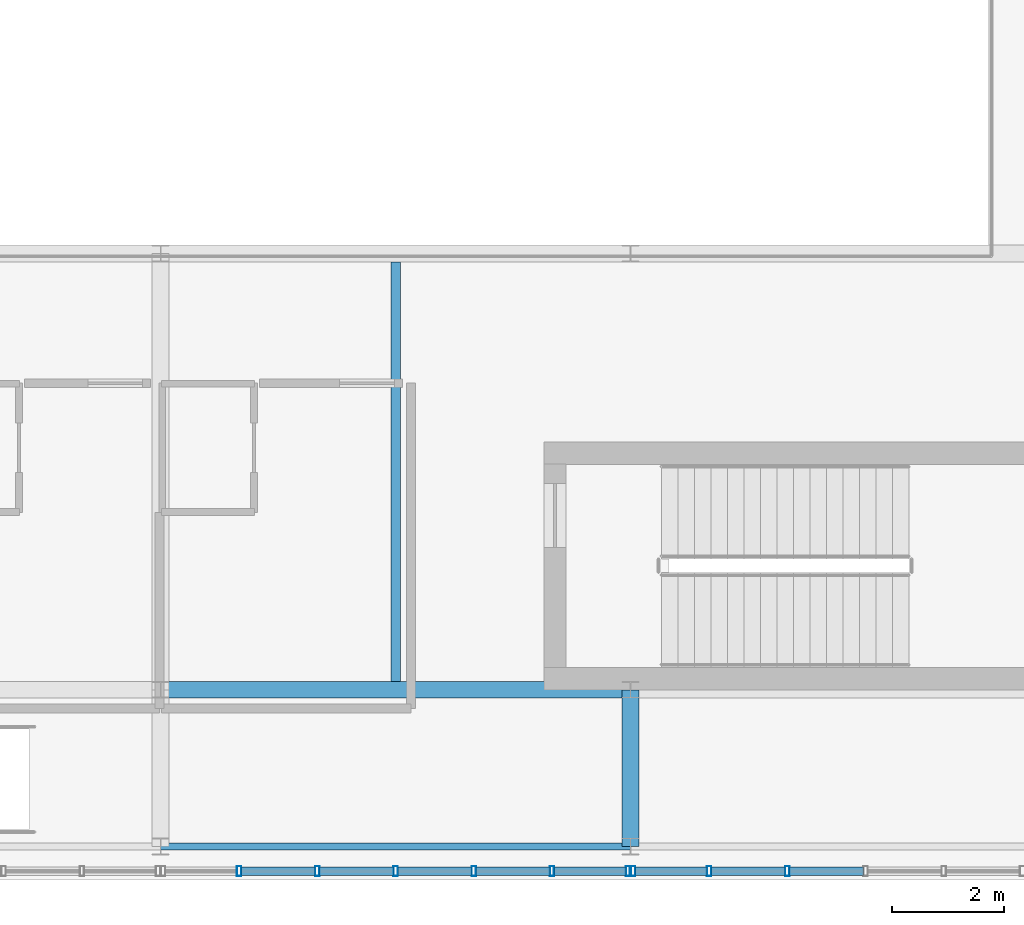
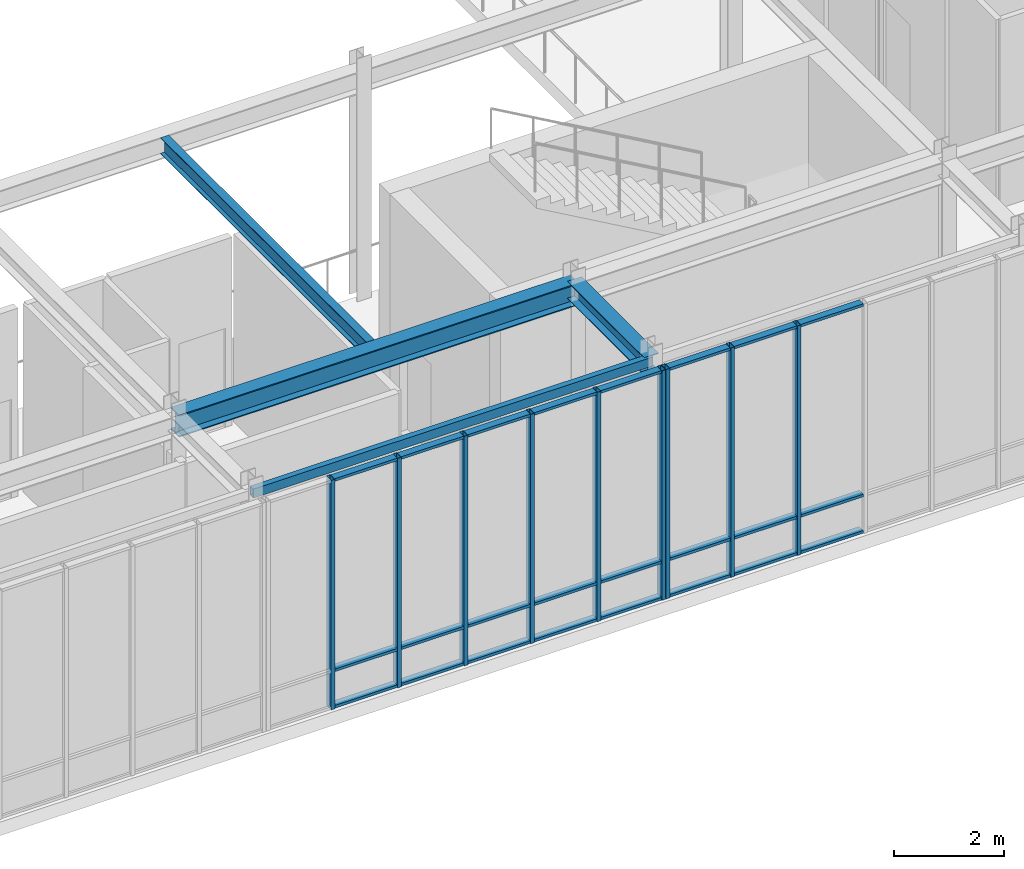
# One storey, part 78 of 139: 33 members, 4 beams, 2 elements without a shape of their own.
"""IFC4 building model written with IfcOpenShell, lengths in metres."""

from ifc_helpers import new_model, si_unit, direction, frame, origin, origin_2d, place, context, subcontext, project, spatial, hollow_rectangle, i_section, extrude, material, layer, layer_set, material_profile, profile_set, type_object, element, aggregate, save


model = new_model("IFC4")

# Units and contexts
model_context = context("Model", 3, precision=1e-05, world=origin(), true_north=direction((0.0, 1.0)))
body_context = subcontext(model_context, "Body", "Model", "MODEL_VIEW")
ifc_project = project(units=[si_unit("LENGTHUNIT", "METRE"), si_unit("AREAUNIT", "SQUARE_METRE"), si_unit("VOLUMEUNIT", "CUBIC_METRE"), si_unit("PLANEANGLEUNIT", "RADIAN"), si_unit("MASSUNIT", "GRAM", prefix="KILO")], contexts=[model_context])

# Site, building, storey
site_placement = place(None, origin())
site = spatial("IfcSite", under=ifc_project, at=site_placement, CompositionType="ELEMENT")
building_placement = place(site_placement, origin())
building = spatial("IfcBuilding", under=site, at=building_placement, Name="Zayran Congress Hotel", CompositionType="ELEMENT")
storey_placement = place(building_placement, frame((0.0, 0.0, 5.39990234375)))
storey = spatial("IfcBuildingStorey", under=building, at=storey_placement, Name="L01", CompositionType="ELEMENT", Elevation=5.39990234375)

# Beams
ifc_material_1 = material(Name="Steel S355", Category="steel")
ifc_material_profile_1 = material_profile(ifc_material_1, i_section(OverallWidth=0.300048828125, OverallDepth=0.489990234375, WebThickness=0.011962890625, FlangeThickness=0.02294921875, at=origin_2d()), Name="HEA 500")
ifc_profile_set_1 = profile_set([ifc_material_profile_1], Name="Steel S355")
beam_type_1 = type_object("IfcBeamType", Name="TP-BM-05", PredefinedType="BEAM", material=ifc_profile_set_1)
beam_1_placement = place(storey_placement, frame((168.0, 9.39990234375, 4.85498046875), z_axis=(1.0, 0.0, 0.0), x_axis=(0.0, 1.0, 0.0)))
element("IfcBeam", 1, at=beam_1_placement, inside=storey, type_object=beam_type_1, Name="BM-V3-L01-1118", PredefinedType="BEAM", context=body_context, shape_type="SweptSolid", body=[
    extrude(i_section(OverallWidth=0.300048828125, OverallDepth=0.489990234375, WebThickness=0.011962890625, FlangeThickness=0.02294921875, at=origin_2d()), origin(), (0.0, 0.0, 1.0), 8.39990234375),
])
ifc_material_profile_2 = material_profile(ifc_material_1, i_section(OverallWidth=0.300048828125, OverallDepth=0.389892578125, WebThickness=0.010986328125, FlangeThickness=0.01904296875, at=origin_2d()), Name="HEA 400")
ifc_profile_set_2 = profile_set([ifc_material_profile_2], Name="Steel S355")
beam_type_2 = type_object("IfcBeamType", Name="TP-BM-06", PredefinedType="BEAM", material=ifc_profile_set_2)
beam_2_placement = place(storey_placement, frame((176.39990234375, 6.60009765625, 4.905029296875), z_axis=(0.0, 1.0, 0.0), x_axis=(-1.0, 0.0, 0.0)))
element("IfcBeam", 2, at=beam_2_placement, inside=storey, type_object=beam_type_2, Name="BM-V3-L01-1150", PredefinedType="BEAM", context=body_context, shape_type="SweptSolid", body=[
    extrude(i_section(OverallWidth=0.300048828125, OverallDepth=0.389892578125, WebThickness=0.010986328125, FlangeThickness=0.01904296875, at=origin_2d()), origin(), (0.0, 0.0, 1.0), 2.7998046875),
])
ifc_material_profile_3 = material_profile(ifc_material_1, i_section(OverallWidth=0.169921875, OverallDepth=0.360107421875, WebThickness=0.008056640625, FlangeThickness=0.0126953125, at=origin_2d()), Name="IPE 360")
ifc_profile_set_3 = profile_set([ifc_material_profile_3], Name="Steel S355")
beam_type_3 = type_object("IfcBeamType", Name="TP-JS-04", PredefinedType="JOIST", material=ifc_profile_set_3)
beam_3_placement = place(storey_placement, frame((172.199951171875, 9.550048828125, 4.920166015625), z_axis=(0.0, 1.0, 0.0), x_axis=(-1.0, 0.0, 0.0)))
element("IfcBeam", 3, at=beam_3_placement, inside=storey, type_object=beam_type_3, Name="JST-V3-L01-1167", PredefinedType="JOIST", context=body_context, shape_type="SweptSolid", body=[
    extrude(i_section(OverallWidth=0.169921875, OverallDepth=0.360107421875, WebThickness=0.008056640625, FlangeThickness=0.0126953125, at=origin_2d()), origin(), (0.0, 0.0, 1.0), 7.5),
])
ifc_material_profile_4 = material_profile(ifc_material_1, hollow_rectangle(XDim=0.1201171875, YDim=0.199951171875, WallThickness=0.008056640625, at=origin_2d()), Name="RHS 200x120x8")
ifc_profile_set_4 = profile_set([ifc_material_profile_4], Name="Steel S355")
beam_type_4 = type_object("IfcBeamType", Name="TP-SP-02", PredefinedType="SPANDREL", material=ifc_profile_set_4)
beam_4_placement = place(storey_placement, frame((168.0, 6.60009765625, 5.0), z_axis=(1.0, 0.0, 0.0), x_axis=(0.0, 1.0, 0.0)))
element("IfcBeam", 4, at=beam_4_placement, inside=storey, type_object=beam_type_4, Name="BM-V3-L01-1113", PredefinedType="SPANDREL", context=body_context, shape_type="SweptSolid", body=[
    extrude(hollow_rectangle(XDim=0.1201171875, YDim=0.199951171875, WallThickness=0.008056640625, at=origin_2d()), origin(), (0.0, 0.0, 1.0), 8.39990234375),
])

# Curtain wall, members
ifc_material_2 = material(Name="Anodised aluminium and low-E insulated glass", Category="aluminium")
ifc_layer_1 = layer(ifc_material_2, 0.179931640625)
ifc_layer_set_1 = layer_set([ifc_layer_1], Name="Anodised aluminium and low-E insulated glass")
curtain_wall_type_1 = type_object("IfcCurtainWallType", Name="CW-V3S-L01-CW-V31-8390-5100", PredefinedType="USERDEFINED", material=ifc_layer_set_1)
curtain_wall_1_placement = place(storey_placement, origin())
curtain_wall_1 = element("IfcCurtainWall", 5, at=curtain_wall_1_placement, inside=storey, type_object=curtain_wall_type_1, Name="CW-V3S-L01-2", ObjectType="CURTAIN WALL", PredefinedType="USERDEFINED")
ifc_material_3 = material(Name="Anodised aluminium framing", Category="aluminium")
ifc_material_profile_5 = material_profile(ifc_material_3, hollow_rectangle(XDim=0.080078125, YDim=0.179931640625, WallThickness=0.0048828125, at=origin_2d()), Name="RHS 180x80x5")
ifc_profile_set_5 = profile_set([ifc_material_profile_5], Name="Anodised aluminium framing")
member_type_1 = type_object("IfcMemberType", Name="TP-CWM-01", PredefinedType="MULLION", material=ifc_profile_set_5)
member_1_placement = place(storey_placement, frame((169.4033203125, 6.159912109375, 0.0), z_axis=(0.0, 0.0, 1.0), x_axis=(1.0, 0.0, 0.0)))
member_1 = element("IfcMember", 6, at=member_1_placement, type_object=member_type_1, Name="CW-V3S-L01-2-M01", PredefinedType="MULLION", context=body_context, shape_type="SweptSolid", body=[
    extrude(hollow_rectangle(XDim=0.080078125, YDim=0.179931640625, WallThickness=0.0048828125, at=origin_2d()), origin(), (0.0, 0.0, 1.0), 5.10009765625),
])
member_2_placement = place(storey_placement, frame((170.8017578125, 6.159912109375, 0.0), z_axis=(0.0, 0.0, 1.0), x_axis=(1.0, 0.0, 0.0)))
member_2 = element("IfcMember", 7, at=member_2_placement, type_object=member_type_1, Name="CW-V3S-L01-2-M02", PredefinedType="MULLION", context=body_context, shape_type="SweptSolid", body=[
    extrude(hollow_rectangle(XDim=0.080078125, YDim=0.179931640625, WallThickness=0.0048828125, at=origin_2d()), origin(), (0.0, 0.0, 1.0), 5.10009765625),
])
member_3_placement = place(storey_placement, frame((172.199951171875, 6.159912109375, 0.0), z_axis=(0.0, 0.0, 1.0), x_axis=(1.0, 0.0, 0.0)))
member_3 = element("IfcMember", 8, at=member_3_placement, type_object=member_type_1, Name="CW-V3S-L01-2-M03", PredefinedType="MULLION", context=body_context, shape_type="SweptSolid", body=[
    extrude(hollow_rectangle(XDim=0.080078125, YDim=0.179931640625, WallThickness=0.0048828125, at=origin_2d()), origin(), (0.0, 0.0, 1.0), 5.10009765625),
])
member_4_placement = place(storey_placement, frame((173.598388671875, 6.159912109375, 0.0), z_axis=(0.0, 0.0, 1.0), x_axis=(1.0, 0.0, 0.0)))
member_4 = element("IfcMember", 9, at=member_4_placement, type_object=member_type_1, Name="CW-V3S-L01-2-M04", PredefinedType="MULLION", context=body_context, shape_type="SweptSolid", body=[
    extrude(hollow_rectangle(XDim=0.080078125, YDim=0.179931640625, WallThickness=0.0048828125, at=origin_2d()), origin(), (0.0, 0.0, 1.0), 5.10009765625),
])
member_5_placement = place(storey_placement, frame((174.99658203125, 6.159912109375, 0.0), z_axis=(0.0, 0.0, 1.0), x_axis=(1.0, 0.0, 0.0)))
member_5 = element("IfcMember", 10, at=member_5_placement, type_object=member_type_1, Name="CW-V3S-L01-2-M05", PredefinedType="MULLION", context=body_context, shape_type="SweptSolid", body=[
    extrude(hollow_rectangle(XDim=0.080078125, YDim=0.179931640625, WallThickness=0.0048828125, at=origin_2d()), origin(), (0.0, 0.0, 1.0), 5.10009765625),
])
member_6_placement = place(storey_placement, frame((176.35498046875, 6.159912109375, 0.0), z_axis=(0.0, 0.0, 1.0), x_axis=(1.0, 0.0, 0.0)))
member_6 = element("IfcMember", 11, at=member_6_placement, type_object=member_type_1, Name="CW-V3S-L01-2-M06", PredefinedType="MULLION", context=body_context, shape_type="SweptSolid", body=[
    extrude(hollow_rectangle(XDim=0.080078125, YDim=0.179931640625, WallThickness=0.0048828125, at=origin_2d()), origin(), (0.0, 0.0, 1.0), 5.10009765625),
])

ifc_layer_2 = layer(ifc_material_2, 0.179931640625)
ifc_layer_set_2 = layer_set([ifc_layer_2], Name="Anodised aluminium and low-E insulated glass")
curtain_wall_type_2 = type_object("IfcCurtainWallType", Name="CW-V3S-L01-CW-V32-8395-5100", PredefinedType="USERDEFINED", material=ifc_layer_set_2)
curtain_wall_2_placement = place(storey_placement, origin())
curtain_wall_2 = element("IfcCurtainWall", 12, at=curtain_wall_2_placement, inside=storey, type_object=curtain_wall_type_2, Name="CW-V3S-L01-3", ObjectType="CURTAIN WALL", PredefinedType="USERDEFINED")
member_7_placement = place(storey_placement, frame((176.445068359375, 6.159912109375, 0.0), z_axis=(0.0, 0.0, 1.0), x_axis=(1.0, 0.0, 0.0)))
member_7 = element("IfcMember", 13, at=member_7_placement, type_object=member_type_1, Name="CW-V3S-L01-3-M00", PredefinedType="MULLION", context=body_context, shape_type="SweptSolid", body=[
    extrude(hollow_rectangle(XDim=0.080078125, YDim=0.179931640625, WallThickness=0.0048828125, at=origin_2d()), origin(), (0.0, 0.0, 1.0), 5.10009765625),
])
member_8_placement = place(storey_placement, frame((177.80419921875, 6.159912109375, 0.0), z_axis=(0.0, 0.0, 1.0), x_axis=(1.0, 0.0, 0.0)))
member_8 = element("IfcMember", 14, at=member_8_placement, type_object=member_type_1, Name="CW-V3S-L01-3-M01", PredefinedType="MULLION", context=body_context, shape_type="SweptSolid", body=[
    extrude(hollow_rectangle(XDim=0.080078125, YDim=0.179931640625, WallThickness=0.0048828125, at=origin_2d()), origin(), (0.0, 0.0, 1.0), 5.10009765625),
])
member_9_placement = place(storey_placement, frame((179.203369140625, 6.159912109375, 0.0), z_axis=(0.0, 0.0, 1.0), x_axis=(1.0, 0.0, 0.0)))
member_9 = element("IfcMember", 15, at=member_9_placement, type_object=member_type_1, Name="CW-V3S-L01-3-M02", PredefinedType="MULLION", context=body_context, shape_type="SweptSolid", body=[
    extrude(hollow_rectangle(XDim=0.080078125, YDim=0.179931640625, WallThickness=0.0048828125, at=origin_2d()), origin(), (0.0, 0.0, 1.0), 5.10009765625),
])

# Member
ifc_material_profile_6 = material_profile(ifc_material_3, hollow_rectangle(XDim=0.06005859375, YDim=0.14990234375, WallThickness=0.00390625, at=origin_2d()), Name="RHS 150x60x4")
ifc_profile_set_6 = profile_set([ifc_material_profile_6], Name="Anodised aluminium framing")
member_type_2 = type_object("IfcMemberType", Name="TP-CWT-01", PredefinedType="USERDEFINED", material=ifc_profile_set_6)
member_10_placement = place(storey_placement, frame((169.443359375, 6.159912109375, 0.030029296875), z_axis=(1.0, 0.0, 0.0), x_axis=(0.0, 0.0, 1.0)))
member_10 = element("IfcMember", 16, at=member_10_placement, type_object=member_type_2, Name="CW-V3S-L01-2-T01-0", ObjectType="TRANSOM", PredefinedType="USERDEFINED", context=body_context, shape_type="SweptSolid", body=[
    extrude(hollow_rectangle(XDim=0.06005859375, YDim=0.14990234375, WallThickness=0.00390625, at=origin_2d()), origin(), (0.0, 0.0, 1.0), 1.318359375),
])

member_11_placement = place(storey_placement, frame((169.443359375, 6.159912109375, 0.840087890625), z_axis=(1.0, 0.0, 0.0), x_axis=(0.0, 0.0, 1.0)))
member_11 = element("IfcMember", 17, at=member_11_placement, type_object=member_type_2, Name="CW-V3S-L01-2-T01-1", ObjectType="TRANSOM", PredefinedType="USERDEFINED", context=body_context, shape_type="SweptSolid", body=[
    extrude(hollow_rectangle(XDim=0.06005859375, YDim=0.14990234375, WallThickness=0.00390625, at=origin_2d()), origin(), (0.0, 0.0, 1.0), 1.318359375),
])

member_12_placement = place(storey_placement, frame((169.443359375, 6.159912109375, 5.070068359375), z_axis=(1.0, 0.0, 0.0), x_axis=(0.0, 0.0, 1.0)))
member_12 = element("IfcMember", 18, at=member_12_placement, type_object=member_type_2, Name="CW-V3S-L01-2-T01-2", ObjectType="TRANSOM", PredefinedType="USERDEFINED", context=body_context, shape_type="SweptSolid", body=[
    extrude(hollow_rectangle(XDim=0.06005859375, YDim=0.14990234375, WallThickness=0.00390625, at=origin_2d()), origin(), (0.0, 0.0, 1.0), 1.318359375),
])

member_13_placement = place(storey_placement, frame((170.841796875, 6.159912109375, 0.030029296875), z_axis=(1.0, 0.0, 0.0), x_axis=(0.0, 0.0, 1.0)))
member_13 = element("IfcMember", 19, at=member_13_placement, type_object=member_type_2, Name="CW-V3S-L01-2-T02-0", ObjectType="TRANSOM", PredefinedType="USERDEFINED", context=body_context, shape_type="SweptSolid", body=[
    extrude(hollow_rectangle(XDim=0.06005859375, YDim=0.14990234375, WallThickness=0.00390625, at=origin_2d()), origin(), (0.0, 0.0, 1.0), 1.318115234375),
])

member_14_placement = place(storey_placement, frame((170.841796875, 6.159912109375, 0.840087890625), z_axis=(1.0, 0.0, 0.0), x_axis=(0.0, 0.0, 1.0)))
member_14 = element("IfcMember", 20, at=member_14_placement, type_object=member_type_2, Name="CW-V3S-L01-2-T02-1", ObjectType="TRANSOM", PredefinedType="USERDEFINED", context=body_context, shape_type="SweptSolid", body=[
    extrude(hollow_rectangle(XDim=0.06005859375, YDim=0.14990234375, WallThickness=0.00390625, at=origin_2d()), origin(), (0.0, 0.0, 1.0), 1.318115234375),
])

member_15_placement = place(storey_placement, frame((170.841796875, 6.159912109375, 5.070068359375), z_axis=(1.0, 0.0, 0.0), x_axis=(0.0, 0.0, 1.0)))
member_15 = element("IfcMember", 21, at=member_15_placement, type_object=member_type_2, Name="CW-V3S-L01-2-T02-2", ObjectType="TRANSOM", PredefinedType="USERDEFINED", context=body_context, shape_type="SweptSolid", body=[
    extrude(hollow_rectangle(XDim=0.06005859375, YDim=0.14990234375, WallThickness=0.00390625, at=origin_2d()), origin(), (0.0, 0.0, 1.0), 1.318115234375),
])

member_16_placement = place(storey_placement, frame((172.239990234375, 6.159912109375, 0.030029296875), z_axis=(1.0, 0.0, 0.0), x_axis=(0.0, 0.0, 1.0)))
member_16 = element("IfcMember", 22, at=member_16_placement, type_object=member_type_2, Name="CW-V3S-L01-2-T03-0", ObjectType="TRANSOM", PredefinedType="USERDEFINED", context=body_context, shape_type="SweptSolid", body=[
    extrude(hollow_rectangle(XDim=0.06005859375, YDim=0.14990234375, WallThickness=0.00390625, at=origin_2d()), origin(), (0.0, 0.0, 1.0), 1.318359375),
])

member_17_placement = place(storey_placement, frame((172.239990234375, 6.159912109375, 0.840087890625), z_axis=(1.0, 0.0, 0.0), x_axis=(0.0, 0.0, 1.0)))
member_17 = element("IfcMember", 23, at=member_17_placement, type_object=member_type_2, Name="CW-V3S-L01-2-T03-1", ObjectType="TRANSOM", PredefinedType="USERDEFINED", context=body_context, shape_type="SweptSolid", body=[
    extrude(hollow_rectangle(XDim=0.06005859375, YDim=0.14990234375, WallThickness=0.00390625, at=origin_2d()), origin(), (0.0, 0.0, 1.0), 1.318359375),
])

member_18_placement = place(storey_placement, frame((172.239990234375, 6.159912109375, 5.070068359375), z_axis=(1.0, 0.0, 0.0), x_axis=(0.0, 0.0, 1.0)))
member_18 = element("IfcMember", 24, at=member_18_placement, type_object=member_type_2, Name="CW-V3S-L01-2-T03-2", ObjectType="TRANSOM", PredefinedType="USERDEFINED", context=body_context, shape_type="SweptSolid", body=[
    extrude(hollow_rectangle(XDim=0.06005859375, YDim=0.14990234375, WallThickness=0.00390625, at=origin_2d()), origin(), (0.0, 0.0, 1.0), 1.318359375),
])

member_19_placement = place(storey_placement, frame((173.63818359375, 6.159912109375, 0.030029296875), z_axis=(1.0, 0.0, 0.0), x_axis=(0.0, 0.0, 1.0)))
member_19 = element("IfcMember", 25, at=member_19_placement, type_object=member_type_2, Name="CW-V3S-L01-2-T04-0", ObjectType="TRANSOM", PredefinedType="USERDEFINED", context=body_context, shape_type="SweptSolid", body=[
    extrude(hollow_rectangle(XDim=0.06005859375, YDim=0.14990234375, WallThickness=0.00390625, at=origin_2d()), origin(), (0.0, 0.0, 1.0), 1.318603515625),
])

member_20_placement = place(storey_placement, frame((173.63818359375, 6.159912109375, 0.840087890625), z_axis=(1.0, 0.0, 0.0), x_axis=(0.0, 0.0, 1.0)))
member_20 = element("IfcMember", 26, at=member_20_placement, type_object=member_type_2, Name="CW-V3S-L01-2-T04-1", ObjectType="TRANSOM", PredefinedType="USERDEFINED", context=body_context, shape_type="SweptSolid", body=[
    extrude(hollow_rectangle(XDim=0.06005859375, YDim=0.14990234375, WallThickness=0.00390625, at=origin_2d()), origin(), (0.0, 0.0, 1.0), 1.318603515625),
])

member_21_placement = place(storey_placement, frame((173.63818359375, 6.159912109375, 5.070068359375), z_axis=(1.0, 0.0, 0.0), x_axis=(0.0, 0.0, 1.0)))
member_21 = element("IfcMember", 27, at=member_21_placement, type_object=member_type_2, Name="CW-V3S-L01-2-T04-2", ObjectType="TRANSOM", PredefinedType="USERDEFINED", context=body_context, shape_type="SweptSolid", body=[
    extrude(hollow_rectangle(XDim=0.06005859375, YDim=0.14990234375, WallThickness=0.00390625, at=origin_2d()), origin(), (0.0, 0.0, 1.0), 1.318603515625),
])

member_22_placement = place(storey_placement, frame((175.03662109375, 6.159912109375, 0.030029296875), z_axis=(1.0, 0.0, 0.0), x_axis=(0.0, 0.0, 1.0)))
member_22 = element("IfcMember", 28, at=member_22_placement, type_object=member_type_2, Name="CW-V3S-L01-2-T05-0", ObjectType="TRANSOM", PredefinedType="USERDEFINED", context=body_context, shape_type="SweptSolid", body=[
    extrude(hollow_rectangle(XDim=0.06005859375, YDim=0.14990234375, WallThickness=0.00390625, at=origin_2d()), origin(), (0.0, 0.0, 1.0), 1.2783203125),
])

member_23_placement = place(storey_placement, frame((175.03662109375, 6.159912109375, 0.840087890625), z_axis=(1.0, 0.0, 0.0), x_axis=(0.0, 0.0, 1.0)))
member_23 = element("IfcMember", 29, at=member_23_placement, type_object=member_type_2, Name="CW-V3S-L01-2-T05-1", ObjectType="TRANSOM", PredefinedType="USERDEFINED", context=body_context, shape_type="SweptSolid", body=[
    extrude(hollow_rectangle(XDim=0.06005859375, YDim=0.14990234375, WallThickness=0.00390625, at=origin_2d()), origin(), (0.0, 0.0, 1.0), 1.2783203125),
])

member_24_placement = place(storey_placement, frame((175.03662109375, 6.159912109375, 5.070068359375), z_axis=(1.0, 0.0, 0.0), x_axis=(0.0, 0.0, 1.0)))
member_24 = element("IfcMember", 30, at=member_24_placement, type_object=member_type_2, Name="CW-V3S-L01-2-T05-2", ObjectType="TRANSOM", PredefinedType="USERDEFINED", context=body_context, shape_type="SweptSolid", body=[
    extrude(hollow_rectangle(XDim=0.06005859375, YDim=0.14990234375, WallThickness=0.00390625, at=origin_2d()), origin(), (0.0, 0.0, 1.0), 1.2783203125),
])

aggregate(curtain_wall_1, [member_1, member_2, member_3, member_4, member_5, member_6, member_10, member_11, member_12, member_13, member_14, member_15, member_16, member_17, member_18, member_19, member_20, member_21, member_22, member_23, member_24])

member_25_placement = place(storey_placement, frame((176.485107421875, 6.159912109375, 0.030029296875), z_axis=(1.0, 0.0, 0.0), x_axis=(0.0, 0.0, 1.0)))
member_25 = element("IfcMember", 31, at=member_25_placement, type_object=member_type_2, Name="CW-V3S-L01-3-T00-0", ObjectType="TRANSOM", PredefinedType="USERDEFINED", context=body_context, shape_type="SweptSolid", body=[
    extrude(hollow_rectangle(XDim=0.06005859375, YDim=0.14990234375, WallThickness=0.00390625, at=origin_2d()), origin(), (0.0, 0.0, 1.0), 1.279052734375),
])

member_26_placement = place(storey_placement, frame((176.485107421875, 6.159912109375, 0.840087890625), z_axis=(1.0, 0.0, 0.0), x_axis=(0.0, 0.0, 1.0)))
member_26 = element("IfcMember", 32, at=member_26_placement, type_object=member_type_2, Name="CW-V3S-L01-3-T00-1", ObjectType="TRANSOM", PredefinedType="USERDEFINED", context=body_context, shape_type="SweptSolid", body=[
    extrude(hollow_rectangle(XDim=0.06005859375, YDim=0.14990234375, WallThickness=0.00390625, at=origin_2d()), origin(), (0.0, 0.0, 1.0), 1.279052734375),
])

member_27_placement = place(storey_placement, frame((176.485107421875, 6.159912109375, 5.070068359375), z_axis=(1.0, 0.0, 0.0), x_axis=(0.0, 0.0, 1.0)))
member_27 = element("IfcMember", 33, at=member_27_placement, type_object=member_type_2, Name="CW-V3S-L01-3-T00-2", ObjectType="TRANSOM", PredefinedType="USERDEFINED", context=body_context, shape_type="SweptSolid", body=[
    extrude(hollow_rectangle(XDim=0.06005859375, YDim=0.14990234375, WallThickness=0.00390625, at=origin_2d()), origin(), (0.0, 0.0, 1.0), 1.279052734375),
])

member_28_placement = place(storey_placement, frame((177.84423828125, 6.159912109375, 0.030029296875), z_axis=(1.0, 0.0, 0.0), x_axis=(0.0, 0.0, 1.0)))
member_28 = element("IfcMember", 34, at=member_28_placement, type_object=member_type_2, Name="CW-V3S-L01-3-T01-0", ObjectType="TRANSOM", PredefinedType="USERDEFINED", context=body_context, shape_type="SweptSolid", body=[
    extrude(hollow_rectangle(XDim=0.06005859375, YDim=0.14990234375, WallThickness=0.00390625, at=origin_2d()), origin(), (0.0, 0.0, 1.0), 1.319091796875),
])

member_29_placement = place(storey_placement, frame((177.84423828125, 6.159912109375, 0.840087890625), z_axis=(1.0, 0.0, 0.0), x_axis=(0.0, 0.0, 1.0)))
member_29 = element("IfcMember", 35, at=member_29_placement, type_object=member_type_2, Name="CW-V3S-L01-3-T01-1", ObjectType="TRANSOM", PredefinedType="USERDEFINED", context=body_context, shape_type="SweptSolid", body=[
    extrude(hollow_rectangle(XDim=0.06005859375, YDim=0.14990234375, WallThickness=0.00390625, at=origin_2d()), origin(), (0.0, 0.0, 1.0), 1.319091796875),
])

member_30_placement = place(storey_placement, frame((177.84423828125, 6.159912109375, 5.070068359375), z_axis=(1.0, 0.0, 0.0), x_axis=(0.0, 0.0, 1.0)))
member_30 = element("IfcMember", 36, at=member_30_placement, type_object=member_type_2, Name="CW-V3S-L01-3-T01-2", ObjectType="TRANSOM", PredefinedType="USERDEFINED", context=body_context, shape_type="SweptSolid", body=[
    extrude(hollow_rectangle(XDim=0.06005859375, YDim=0.14990234375, WallThickness=0.00390625, at=origin_2d()), origin(), (0.0, 0.0, 1.0), 1.319091796875),
])

member_31_placement = place(storey_placement, frame((179.243408203125, 6.159912109375, 0.030029296875), z_axis=(1.0, 0.0, 0.0), x_axis=(0.0, 0.0, 1.0)))
member_31 = element("IfcMember", 37, at=member_31_placement, type_object=member_type_2, Name="CW-V3S-L01-3-T02-0", ObjectType="TRANSOM", PredefinedType="USERDEFINED", context=body_context, shape_type="SweptSolid", body=[
    extrude(hollow_rectangle(XDim=0.06005859375, YDim=0.14990234375, WallThickness=0.00390625, at=origin_2d()), origin(), (0.0, 0.0, 1.0), 1.319091796875),
])

member_32_placement = place(storey_placement, frame((179.243408203125, 6.159912109375, 0.840087890625), z_axis=(1.0, 0.0, 0.0), x_axis=(0.0, 0.0, 1.0)))
member_32 = element("IfcMember", 38, at=member_32_placement, type_object=member_type_2, Name="CW-V3S-L01-3-T02-1", ObjectType="TRANSOM", PredefinedType="USERDEFINED", context=body_context, shape_type="SweptSolid", body=[
    extrude(hollow_rectangle(XDim=0.06005859375, YDim=0.14990234375, WallThickness=0.00390625, at=origin_2d()), origin(), (0.0, 0.0, 1.0), 1.319091796875),
])

member_33_placement = place(storey_placement, frame((179.243408203125, 6.159912109375, 5.070068359375), z_axis=(1.0, 0.0, 0.0), x_axis=(0.0, 0.0, 1.0)))
member_33 = element("IfcMember", 39, at=member_33_placement, type_object=member_type_2, Name="CW-V3S-L01-3-T02-2", ObjectType="TRANSOM", PredefinedType="USERDEFINED", context=body_context, shape_type="SweptSolid", body=[
    extrude(hollow_rectangle(XDim=0.06005859375, YDim=0.14990234375, WallThickness=0.00390625, at=origin_2d()), origin(), (0.0, 0.0, 1.0), 1.319091796875),
])

aggregate(curtain_wall_2, [member_7, member_8, member_9, member_25, member_26, member_27, member_28, member_29, member_30, member_31, member_32, member_33])

save(model, "model.ifc")
